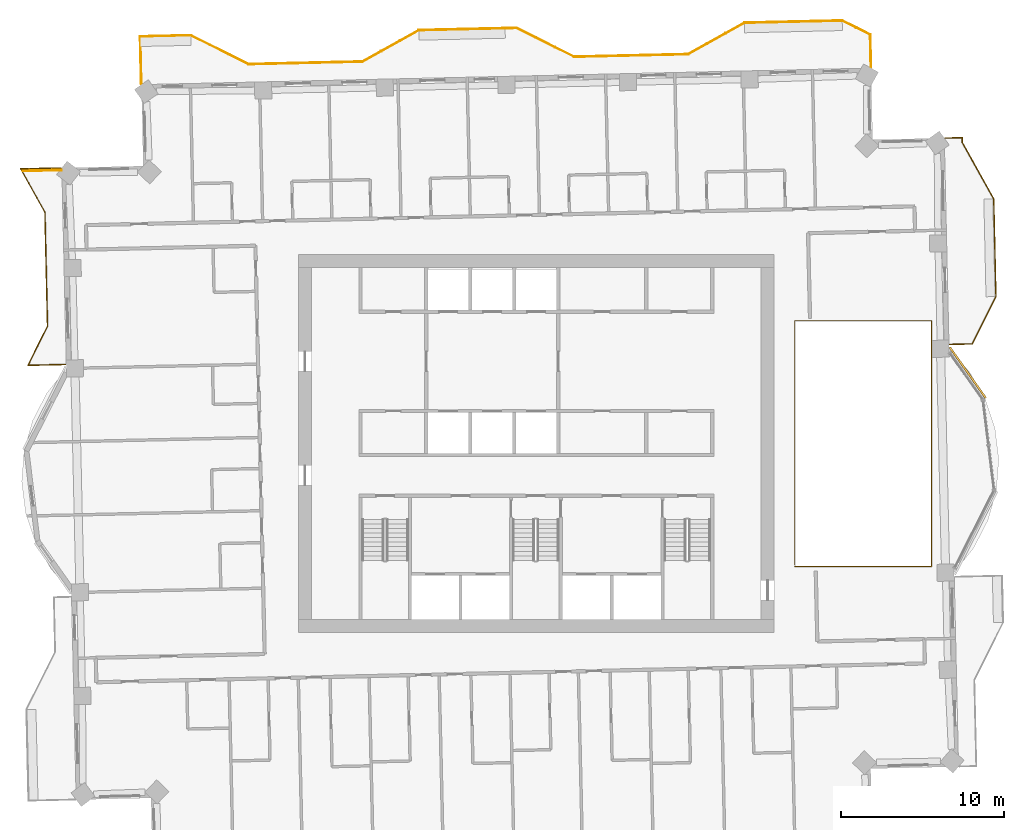
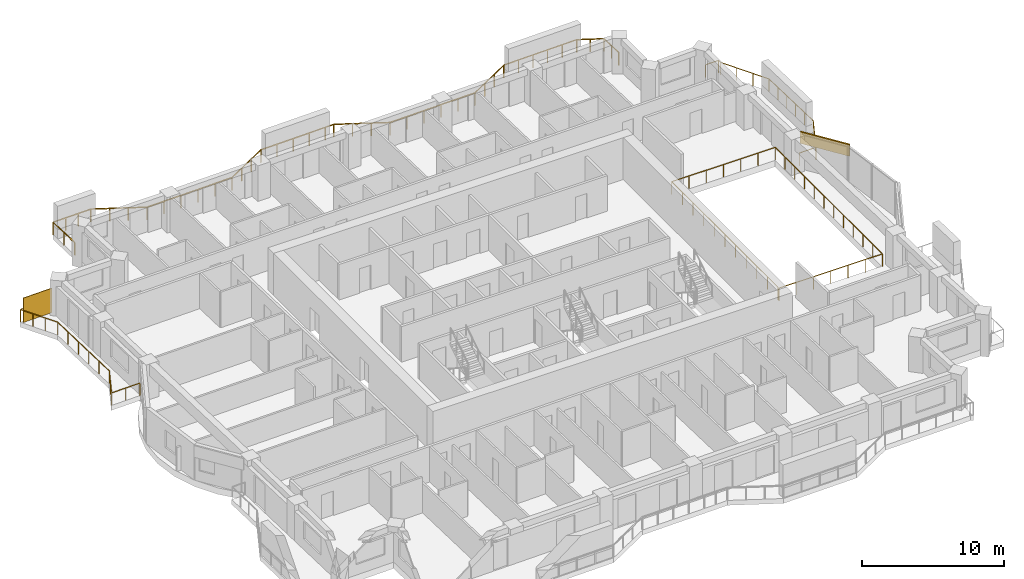
# One storey, part 17 of 17: 4 railings, 1 covering, 1 shading device.
"""IFC4 building model written with IfcOpenShell, lengths in metres."""

from ifc_helpers import new_model, si_unit, direction, frame, frame_2d, origin, origin_2d, place, context, subcontext, project, spatial, rectangle, extrude, material, layer, layer_set, type_object, element, save


model = new_model("IFC4")

# Units and contexts
model_context = context("Model", 3, precision=1e-05, world=origin(), true_north=direction((0.0, 1.0)))
body_context = subcontext(model_context, "Body", "Model", "MODEL_VIEW")
ifc_project = project(units=[si_unit("LENGTHUNIT", "METRE"), si_unit("AREAUNIT", "SQUARE_METRE"), si_unit("VOLUMEUNIT", "CUBIC_METRE"), si_unit("PLANEANGLEUNIT", "RADIAN"), si_unit("MASSUNIT", "GRAM", prefix="KILO")], contexts=[model_context])

# Site, building, storey
site_placement = place(None, origin())
site = spatial("IfcSite", under=ifc_project, at=site_placement, CompositionType="ELEMENT")
building_placement = place(site_placement, origin())
building = spatial("IfcBuilding", under=site, at=building_placement, Name="Mangrove Gate Tower", CompositionType="ELEMENT")
storey_placement = place(building_placement, frame((0.0, 0.0, 245.5)))
storey = spatial("IfcBuildingStorey", under=building, at=storey_placement, Name="L62", CompositionType="ELEMENT", Elevation=245.5)

# Railings
ifc_material_1 = material(Name="Stainless steel grade 316 with laminated glass infill", Category="steel")
railing_type = type_object("IfcRailingType", Name="Balcony guard 1100", PredefinedType="GUARDRAIL", material=ifc_material_1)
railing_1_placement = place(storey_placement, frame((25.375, 6.089111328125, 0.0)))
element("IfcRailing", 1, at=railing_1_placement, inside=storey, type_object=railing_type, Name="GUARD L62 E2", PredefinedType="GUARDRAIL", context=body_context, shape_type="SweptSolid", body=[
    extrude(rectangle(XDim=0.048095703125, YDim=0.048095703125, at=origin_2d()), frame((0.0, 0.0, 1.076171875), z_axis=(0.999735822648, 0.022984449415, 0.0), x_axis=(-0.022984449415, 0.999735822648, 0.0)), (0.0, 0.0, 1.0), 1.3916015625),
    extrude(rectangle(XDim=0.048095703125, YDim=0.048095703125, at=origin_2d()), frame((1.39111328125, 0.031982421875, 1.076171875), z_axis=(0.446943201093, 0.894562337122, 0.0), x_axis=(-0.894562337122, 0.446943201093, 0.0)), (0.0, 0.0, 1.0), 3.250732421875),
    extrude(rectangle(XDim=0.048095703125, YDim=0.048095703125, at=origin_2d()), frame((2.843994140625, 2.93994140625, 1.076171875), z_axis=(-0.022662255828, 0.999743178102, 0.0), x_axis=(-0.999743178102, -0.022662255828, 0.0)), (0.0, 0.0, 1.0), 6.00048828125),
    extrude(rectangle(XDim=0.048095703125, YDim=0.048095703125, at=origin_2d()), frame((2.7080078125, 8.93896484375, 1.076171875), z_axis=(-0.48726008209, 0.87325689943, 0.0), x_axis=(-0.87325689943, -0.48726008209, 0.0)), (0.0, 0.0, 1.0), 3.958740234375),
    extrude(rectangle(XDim=0.048095703125, YDim=0.048095703125, at=origin_2d()), frame((0.779052734375, 12.39599609375, 1.076171875), z_axis=(-0.020354088642, 0.999792834079, 0.0), x_axis=(-0.999792834079, -0.020354088642, 0.0)), (0.0, 0.0, 1.0), 0.2998046875),
    extrude(rectangle(XDim=0.048095703125, YDim=0.048095703125, at=origin_2d()), frame((0.77294921875, 12.69580078125, 1.076171875), z_axis=(-0.999745389313, -0.022564497502, 0.0), x_axis=(0.022564497502, -0.999745389313, 0.0)), (0.0, 0.0, 1.0), 1.060302734375),
    extrude(rectangle(XDim=0.0419921875, YDim=0.0419921875, at=origin_2d()), origin(), (0.0, 0.0, 1.0), 1.052001953125),
    extrude(rectangle(XDim=0.0419921875, YDim=0.0419921875, at=origin_2d()), frame((1.39111328125, 0.031982421875, 0.0)), (0.0, 0.0, 1.0), 1.052001953125),
    extrude(rectangle(XDim=0.0419921875, YDim=0.0419921875, at=origin_2d()), frame((1.87548828125, 1.001220703125, 0.0)), (0.0, 0.0, 1.0), 1.052001953125),
    extrude(rectangle(XDim=0.0419921875, YDim=0.0419921875, at=origin_2d()), frame((2.359619140625, 1.970703125, 0.0)), (0.0, 0.0, 1.0), 1.052001953125),
    extrude(rectangle(XDim=0.0419921875, YDim=0.0419921875, at=origin_2d()), frame((2.843994140625, 2.93994140625, 0.0)), (0.0, 0.0, 1.0), 1.052001953125),
    extrude(rectangle(XDim=0.0419921875, YDim=0.0419921875, at=origin_2d()), frame((2.81689453125, 4.1396484375, 0.0)), (0.0, 0.0, 1.0), 1.052001953125),
    extrude(rectangle(XDim=0.0419921875, YDim=0.0419921875, at=origin_2d()), frame((2.78955078125, 5.339599609375, 0.0)), (0.0, 0.0, 1.0), 1.052001953125),
    extrude(rectangle(XDim=0.0419921875, YDim=0.0419921875, at=origin_2d()), frame((2.762451171875, 6.539306640625, 0.0)), (0.0, 0.0, 1.0), 1.052001953125),
    extrude(rectangle(XDim=0.0419921875, YDim=0.0419921875, at=origin_2d()), frame((2.735107421875, 7.7392578125, 0.0)), (0.0, 0.0, 1.0), 1.052001953125),
    extrude(rectangle(XDim=0.0419921875, YDim=0.0419921875, at=origin_2d()), frame((2.7080078125, 8.93896484375, 0.0)), (0.0, 0.0, 1.0), 1.052001953125),
    extrude(rectangle(XDim=0.0419921875, YDim=0.0419921875, at=origin_2d()), frame((2.06494140625, 10.09130859375, 0.0)), (0.0, 0.0, 1.0), 1.052001953125),
    extrude(rectangle(XDim=0.0419921875, YDim=0.0419921875, at=origin_2d()), frame((1.422119140625, 11.24365234375, 0.0)), (0.0, 0.0, 1.0), 1.052001953125),
    extrude(rectangle(XDim=0.0419921875, YDim=0.0419921875, at=origin_2d()), frame((0.779052734375, 12.39599609375, 0.0)), (0.0, 0.0, 1.0), 1.052001953125),
    extrude(rectangle(XDim=0.0419921875, YDim=0.0419921875, at=origin_2d()), frame((0.77294921875, 12.69580078125, 0.0)), (0.0, 0.0, 1.0), 1.052001953125),
    extrude(rectangle(XDim=0.0419921875, YDim=0.0419921875, at=origin_2d()), frame((-0.287109375, 12.671875, 0.0)), (0.0, 0.0, 1.0), 1.052001953125),
])
railing_2_placement = place(storey_placement, frame((20.548095703125, 23.09912109375, 0.0)))
element("IfcRailing", 2, at=railing_2_placement, inside=storey, type_object=railing_type, Name="GUARD L62 N1", PredefinedType="GUARDRAIL", context=body_context, shape_type="SweptSolid", body=[
    extrude(rectangle(XDim=0.048095703125, YDim=0.048095703125, at=origin_2d()), frame((0.0, 0.0, 1.076171875), z_axis=(-0.022478519123, 0.999747326167, 0.0), x_axis=(-0.999747326167, -0.022478519123, 0.0)), (0.0, 0.0, 1.0), 2.00927734375),
    extrude(rectangle(XDim=0.048095703125, YDim=0.048095703125, at=origin_2d()), frame((-0.045166015625, 2.0087890625, 1.076171875), z_axis=(-0.89460449585, 0.446858809922, 0.0), x_axis=(-0.446858809922, -0.89460449585, 0.0)), (0.0, 0.0, 1.0), 1.927001953125),
    extrude(rectangle(XDim=0.048095703125, YDim=0.048095703125, at=origin_2d()), frame((-1.76904296875, 2.869873046875, 1.076171875), z_axis=(-0.999743178102, -0.022662255828, 0.0), x_axis=(0.022662255828, -0.999743178102, 0.0)), (0.0, 0.0, 1.0), 6.00048828125),
    extrude(rectangle(XDim=0.048095703125, YDim=0.048095703125, at=origin_2d()), frame((-7.76806640625, 2.73388671875, 1.076171875), z_axis=(-0.87325689943, -0.48726008209, 0.0), x_axis=(0.48726008209, -0.87325689943, 0.0)), (0.0, 0.0, 1.0), 3.958740234375),
    extrude(rectangle(XDim=0.048095703125, YDim=0.048095703125, at=origin_2d()), frame((-11.22509765625, 0.804931640625, 1.076171875), z_axis=(-0.999745352708, -0.022566119286, 0.0), x_axis=(0.022566119286, -0.999745352708, 0.0)), (0.0, 0.0, 1.0), 6.999755859375),
    extrude(rectangle(XDim=0.048095703125, YDim=0.048095703125, at=origin_2d()), frame((-18.22314453125, 0.64697265625, 1.076171875), z_axis=(-0.894476522376, 0.447114919141, 0.0), x_axis=(-0.447114919141, -0.894476522376, 0.0)), (0.0, 0.0, 1.0), 3.958740234375),
    extrude(rectangle(XDim=0.048095703125, YDim=0.048095703125, at=origin_2d()), frame((-21.76416015625, 2.4169921875, 1.076171875), z_axis=(-0.999735131741, -0.023014481582, 0.0), x_axis=(0.023014481582, -0.999735131741, 0.0)), (0.0, 0.0, 1.0), 0.7001953125),
    extrude(rectangle(XDim=0.048095703125, YDim=0.048095703125, at=origin_2d()), frame((-22.464111328125, 2.40087890625, 1.076171875), z_axis=(-0.999743189186, -0.022661766832, 0.0), x_axis=(0.022661766832, -0.999743189186, 0.0)), (0.0, 0.0, 1.0), 5.300537109375),
    extrude(rectangle(XDim=0.048095703125, YDim=0.048095703125, at=origin_2d()), frame((-27.76318359375, 2.28076171875, 1.076171875), z_axis=(-0.87325689943, -0.48726008209, 0.0), x_axis=(0.48726008209, -0.87325689943, 0.0)), (0.0, 0.0, 1.0), 3.958740234375),
    extrude(rectangle(XDim=0.048095703125, YDim=0.048095703125, at=origin_2d()), frame((-31.22021484375, 0.351806640625, 1.076171875), z_axis=(-0.999742177561, -0.022706351659, 0.0), x_axis=(0.022706351659, -0.999742177561, 0.0)), (0.0, 0.0, 1.0), 6.99951171875),
    extrude(rectangle(XDim=0.048095703125, YDim=0.048095703125, at=origin_2d()), frame((-38.218017578125, 0.19287109375, 1.076171875), z_axis=(-0.894476522376, 0.447114919141, 0.0), x_axis=(-0.447114919141, -0.894476522376, 0.0)), (0.0, 0.0, 1.0), 3.958740234375),
    extrude(rectangle(XDim=0.048095703125, YDim=0.048095703125, at=origin_2d()), frame((-41.759033203125, 1.962890625, 1.076171875), z_axis=(-0.999745154684, -0.02257489059, 0.0), x_axis=(0.02257489059, -0.999745154684, 0.0)), (0.0, 0.0, 1.0), 3.103759765625),
    extrude(rectangle(XDim=0.048095703125, YDim=0.048095703125, at=origin_2d()), frame((-44.862060546875, 1.892822265625, 1.076171875), z_axis=(0.022647097142, -0.999743521605, 0.0), x_axis=(0.999743521605, 0.022647097142, 0.0)), (0.0, 0.0, 1.0), 2.91064453125),
    extrude(rectangle(XDim=0.0419921875, YDim=0.0419921875, at=origin_2d()), origin(), (0.0, 0.0, 1.0), 1.052001953125),
    extrude(rectangle(XDim=0.0419921875, YDim=0.0419921875, at=origin_2d()), frame((-0.0224609375, 1.00439453125, 0.0)), (0.0, 0.0, 1.0), 1.052001953125),
    extrude(rectangle(XDim=0.0419921875, YDim=0.0419921875, at=origin_2d()), frame((-0.045166015625, 2.0087890625, 0.0)), (0.0, 0.0, 1.0), 1.052001953125),
    extrude(rectangle(XDim=0.0419921875, YDim=0.0419921875, at=origin_2d()), frame((-0.9072265625, 2.439453125, 0.0)), (0.0, 0.0, 1.0), 1.052001953125),
    extrude(rectangle(XDim=0.0419921875, YDim=0.0419921875, at=origin_2d()), frame((-1.76904296875, 2.869873046875, 0.0)), (0.0, 0.0, 1.0), 1.052001953125),
    extrude(rectangle(XDim=0.0419921875, YDim=0.0419921875, at=origin_2d()), frame((-2.96875, 2.8427734375, 0.0)), (0.0, 0.0, 1.0), 1.052001953125),
    extrude(rectangle(XDim=0.0419921875, YDim=0.0419921875, at=origin_2d()), frame((-4.168701171875, 2.8154296875, 0.0)), (0.0, 0.0, 1.0), 1.052001953125),
    extrude(rectangle(XDim=0.0419921875, YDim=0.0419921875, at=origin_2d()), frame((-5.368408203125, 2.788330078125, 0.0)), (0.0, 0.0, 1.0), 1.052001953125),
    extrude(rectangle(XDim=0.0419921875, YDim=0.0419921875, at=origin_2d()), frame((-6.568359375, 2.760986328125, 0.0)), (0.0, 0.0, 1.0), 1.052001953125),
    extrude(rectangle(XDim=0.0419921875, YDim=0.0419921875, at=origin_2d()), frame((-7.76806640625, 2.73388671875, 0.0)), (0.0, 0.0, 1.0), 1.052001953125),
    extrude(rectangle(XDim=0.0419921875, YDim=0.0419921875, at=origin_2d()), frame((-8.92041015625, 2.0908203125, 0.0)), (0.0, 0.0, 1.0), 1.052001953125),
    extrude(rectangle(XDim=0.0419921875, YDim=0.0419921875, at=origin_2d()), frame((-10.07275390625, 1.447998046875, 0.0)), (0.0, 0.0, 1.0), 1.052001953125),
    extrude(rectangle(XDim=0.0419921875, YDim=0.0419921875, at=origin_2d()), frame((-11.22509765625, 0.804931640625, 0.0)), (0.0, 0.0, 1.0), 1.052001953125),
    extrude(rectangle(XDim=0.0419921875, YDim=0.0419921875, at=origin_2d()), frame((-12.624755859375, 0.7734375, 0.0)), (0.0, 0.0, 1.0), 1.052001953125),
    extrude(rectangle(XDim=0.0419921875, YDim=0.0419921875, at=origin_2d()), frame((-14.0244140625, 0.74169921875, 0.0)), (0.0, 0.0, 1.0), 1.052001953125),
    extrude(rectangle(XDim=0.0419921875, YDim=0.0419921875, at=origin_2d()), frame((-15.423828125, 0.710205078125, 0.0)), (0.0, 0.0, 1.0), 1.052001953125),
    extrude(rectangle(XDim=0.0419921875, YDim=0.0419921875, at=origin_2d()), frame((-16.823486328125, 0.678466796875, 0.0)), (0.0, 0.0, 1.0), 1.052001953125),
    extrude(rectangle(XDim=0.0419921875, YDim=0.0419921875, at=origin_2d()), frame((-18.22314453125, 0.64697265625, 0.0)), (0.0, 0.0, 1.0), 1.052001953125),
    extrude(rectangle(XDim=0.0419921875, YDim=0.0419921875, at=origin_2d()), frame((-19.403564453125, 1.237060546875, 0.0)), (0.0, 0.0, 1.0), 1.052001953125),
    extrude(rectangle(XDim=0.0419921875, YDim=0.0419921875, at=origin_2d()), frame((-20.583740234375, 1.826904296875, 0.0)), (0.0, 0.0, 1.0), 1.052001953125),
    extrude(rectangle(XDim=0.0419921875, YDim=0.0419921875, at=origin_2d()), frame((-21.76416015625, 2.4169921875, 0.0)), (0.0, 0.0, 1.0), 1.052001953125),
    extrude(rectangle(XDim=0.0419921875, YDim=0.0419921875, at=origin_2d()), frame((-22.464111328125, 2.40087890625, 0.0)), (0.0, 0.0, 1.0), 1.052001953125),
    extrude(rectangle(XDim=0.0419921875, YDim=0.0419921875, at=origin_2d()), frame((-23.788818359375, 2.370849609375, 0.0)), (0.0, 0.0, 1.0), 1.052001953125),
    extrude(rectangle(XDim=0.0419921875, YDim=0.0419921875, at=origin_2d()), frame((-25.11376953125, 2.3408203125, 0.0)), (0.0, 0.0, 1.0), 1.052001953125),
    extrude(rectangle(XDim=0.0419921875, YDim=0.0419921875, at=origin_2d()), frame((-26.4384765625, 2.310791015625, 0.0)), (0.0, 0.0, 1.0), 1.052001953125),
    extrude(rectangle(XDim=0.0419921875, YDim=0.0419921875, at=origin_2d()), frame((-27.76318359375, 2.28076171875, 0.0)), (0.0, 0.0, 1.0), 1.052001953125),
    extrude(rectangle(XDim=0.0419921875, YDim=0.0419921875, at=origin_2d()), frame((-28.91552734375, 1.6376953125, 0.0)), (0.0, 0.0, 1.0), 1.052001953125),
    extrude(rectangle(XDim=0.0419921875, YDim=0.0419921875, at=origin_2d()), frame((-30.06787109375, 0.994873046875, 0.0)), (0.0, 0.0, 1.0), 1.052001953125),
    extrude(rectangle(XDim=0.0419921875, YDim=0.0419921875, at=origin_2d()), frame((-31.22021484375, 0.351806640625, 0.0)), (0.0, 0.0, 1.0), 1.052001953125),
    extrude(rectangle(XDim=0.0419921875, YDim=0.0419921875, at=origin_2d()), frame((-32.619873046875, 0.320068359375, 0.0)), (0.0, 0.0, 1.0), 1.052001953125),
    extrude(rectangle(XDim=0.0419921875, YDim=0.0419921875, at=origin_2d()), frame((-34.019287109375, 0.288330078125, 0.0)), (0.0, 0.0, 1.0), 1.052001953125),
    extrude(rectangle(XDim=0.0419921875, YDim=0.0419921875, at=origin_2d()), frame((-35.4189453125, 0.25634765625, 0.0)), (0.0, 0.0, 1.0), 1.052001953125),
    extrude(rectangle(XDim=0.0419921875, YDim=0.0419921875, at=origin_2d()), frame((-36.818359375, 0.224609375, 0.0)), (0.0, 0.0, 1.0), 1.052001953125),
    extrude(rectangle(XDim=0.0419921875, YDim=0.0419921875, at=origin_2d()), frame((-38.218017578125, 0.19287109375, 0.0)), (0.0, 0.0, 1.0), 1.052001953125),
    extrude(rectangle(XDim=0.0419921875, YDim=0.0419921875, at=origin_2d()), frame((-39.3984375, 0.782958984375, 0.0)), (0.0, 0.0, 1.0), 1.052001953125),
    extrude(rectangle(XDim=0.0419921875, YDim=0.0419921875, at=origin_2d()), frame((-40.57861328125, 1.372802734375, 0.0)), (0.0, 0.0, 1.0), 1.052001953125),
    extrude(rectangle(XDim=0.0419921875, YDim=0.0419921875, at=origin_2d()), frame((-41.759033203125, 1.962890625, 0.0)), (0.0, 0.0, 1.0), 1.052001953125),
    extrude(rectangle(XDim=0.0419921875, YDim=0.0419921875, at=origin_2d()), frame((-42.79345703125, 1.939453125, 0.0)), (0.0, 0.0, 1.0), 1.052001953125),
    extrude(rectangle(XDim=0.0419921875, YDim=0.0419921875, at=origin_2d()), frame((-43.82763671875, 1.916259765625, 0.0)), (0.0, 0.0, 1.0), 1.052001953125),
    extrude(rectangle(XDim=0.0419921875, YDim=0.0419921875, at=origin_2d()), frame((-44.862060546875, 1.892822265625, 0.0)), (0.0, 0.0, 1.0), 1.052001953125),
    extrude(rectangle(XDim=0.0419921875, YDim=0.0419921875, at=origin_2d()), frame((-44.8291015625, 0.43798828125, 0.0)), (0.0, 0.0, 1.0), 1.052001953125),
    extrude(rectangle(XDim=0.0419921875, YDim=0.0419921875, at=origin_2d()), frame((-44.796142578125, -1.01708984375, 0.0)), (0.0, 0.0, 1.0), 1.052001953125),
])
railing_3_placement = place(storey_placement, frame((-29.173095703125, 16.928955078125, 0.0)))
element("IfcRailing", 3, at=railing_3_placement, inside=storey, type_object=railing_type, Name="GUARD L62 W1", PredefinedType="GUARDRAIL", context=body_context, shape_type="SweptSolid", body=[
    extrude(rectangle(XDim=0.048095703125, YDim=0.048095703125, at=origin_2d()), frame((0.0, 0.0, 1.076171875), z_axis=(-0.999747180794, -0.022484983736, 0.0), x_axis=(0.022484983736, -0.999747180794, 0.0)), (0.0, 0.0, 1.0), 2.486572265625),
    extrude(rectangle(XDim=0.048095703125, YDim=0.048095703125, at=origin_2d()), frame((-2.48583984375, -0.055908203125, 1.076171875), z_axis=(0.487237161346, -0.873269688357, 0.0), x_axis=(0.873269688357, 0.487237161346, 0.0)), (0.0, 0.0, 1.0), 3.053955078125),
    extrude(rectangle(XDim=0.048095703125, YDim=0.048095703125, at=origin_2d()), frame((-0.997802734375, -2.722900390625, 1.076171875), z_axis=(0.022705559911, -0.999742195543, 0.0), x_axis=(0.999742195543, 0.022705559911, 0.0)), (0.0, 0.0, 1.0), 6.999755859375),
    extrude(rectangle(XDim=0.048095703125, YDim=0.048095703125, at=origin_2d()), frame((-0.8388671875, -9.720947265625, 1.076171875), z_axis=(-0.447031829068, -0.894518051132, 0.0), x_axis=(0.894518051132, -0.447031829068, 0.0)), (0.0, 0.0, 1.0), 2.6865234375),
    extrude(rectangle(XDim=0.048095703125, YDim=0.048095703125, at=origin_2d()), frame((-2.039794921875, -12.1240234375, 1.076171875), z_axis=(0.999738009607, 0.022889127251, 0.0), x_axis=(-0.022889127251, 0.999738009607, 0.0)), (0.0, 0.0, 1.0), 2.314453125),
    extrude(rectangle(XDim=0.0419921875, YDim=0.0419921875, at=origin_2d()), origin(), (0.0, 0.0, 1.0), 1.052001953125),
    extrude(rectangle(XDim=0.0419921875, YDim=0.0419921875, at=origin_2d()), frame((-1.242919921875, -0.02783203125, 0.0)), (0.0, 0.0, 1.0), 1.052001953125),
    extrude(rectangle(XDim=0.0419921875, YDim=0.0419921875, at=origin_2d()), frame((-2.48583984375, -0.055908203125, 0.0)), (0.0, 0.0, 1.0), 1.052001953125),
    extrude(rectangle(XDim=0.0419921875, YDim=0.0419921875, at=origin_2d()), frame((-1.98974609375, -0.94482421875, 0.0)), (0.0, 0.0, 1.0), 1.052001953125),
    extrude(rectangle(XDim=0.0419921875, YDim=0.0419921875, at=origin_2d()), frame((-1.493896484375, -1.833984375, 0.0)), (0.0, 0.0, 1.0), 1.052001953125),
    extrude(rectangle(XDim=0.0419921875, YDim=0.0419921875, at=origin_2d()), frame((-0.997802734375, -2.722900390625, 0.0)), (0.0, 0.0, 1.0), 1.052001953125),
    extrude(rectangle(XDim=0.0419921875, YDim=0.0419921875, at=origin_2d()), frame((-0.966064453125, -4.12255859375, 0.0)), (0.0, 0.0, 1.0), 1.052001953125),
    extrude(rectangle(XDim=0.0419921875, YDim=0.0419921875, at=origin_2d()), frame((-0.934326171875, -5.522216796875, 0.0)), (0.0, 0.0, 1.0), 1.052001953125),
    extrude(rectangle(XDim=0.0419921875, YDim=0.0419921875, at=origin_2d()), frame((-0.90234375, -6.921630859375, 0.0)), (0.0, 0.0, 1.0), 1.052001953125),
    extrude(rectangle(XDim=0.0419921875, YDim=0.0419921875, at=origin_2d()), frame((-0.87060546875, -8.3212890625, 0.0)), (0.0, 0.0, 1.0), 1.052001953125),
    extrude(rectangle(XDim=0.0419921875, YDim=0.0419921875, at=origin_2d()), frame((-0.8388671875, -9.720947265625, 0.0)), (0.0, 0.0, 1.0), 1.052001953125),
    extrude(rectangle(XDim=0.0419921875, YDim=0.0419921875, at=origin_2d()), frame((-1.439453125, -10.92236328125, 0.0)), (0.0, 0.0, 1.0), 1.052001953125),
    extrude(rectangle(XDim=0.0419921875, YDim=0.0419921875, at=origin_2d()), frame((-2.039794921875, -12.1240234375, 0.0)), (0.0, 0.0, 1.0), 1.052001953125),
    extrude(rectangle(XDim=0.0419921875, YDim=0.0419921875, at=origin_2d()), frame((-0.8828125, -12.09765625, 0.0)), (0.0, 0.0, 1.0), 1.052001953125),
    extrude(rectangle(XDim=0.0419921875, YDim=0.0419921875, at=origin_2d()), frame((0.274169921875, -12.071044921875, 0.0)), (0.0, 0.0, 1.0), 1.052001953125),
])
railing_4_placement = place(storey_placement, frame((15.860107421875, -7.5400390625, 0.0)))
element("IfcRailing", 4, at=railing_4_placement, inside=storey, type_object=railing_type, Name="GUARD L62 atrium", PredefinedType="GUARDRAIL", context=body_context, shape_type="SweptSolid", body=[
    extrude(rectangle(XDim=0.048095703125, YDim=0.048095703125, at=origin_2d()), frame((0.0, 0.0, 1.076171875), z_axis=(1.0, 0.0, 0.0), x_axis=(0.0, 1.0, 0.0)), (0.0, 0.0, 1.0), 8.406982421875),
    extrude(rectangle(XDim=0.048095703125, YDim=0.048095703125, at=origin_2d()), frame((8.406982421875, 0.0, 1.076171875), z_axis=(0.0, 1.0, 0.0), x_axis=(-1.0, 0.0, 0.0)), (0.0, 0.0, 1.0), 15.080078125),
    extrude(rectangle(XDim=0.048095703125, YDim=0.048095703125, at=origin_2d()), frame((8.406982421875, 15.080078125, 1.076171875), z_axis=(-1.0, 0.0, 0.0), x_axis=(0.0, -1.0, 0.0)), (0.0, 0.0, 1.0), 8.406982421875),
    extrude(rectangle(XDim=0.048095703125, YDim=0.048095703125, at=origin_2d()), frame((0.0, 15.080078125, 1.076171875), z_axis=(0.0, -1.0, 0.0), x_axis=(1.0, 0.0, 0.0)), (0.0, 0.0, 1.0), 14.9599609375),
    extrude(rectangle(XDim=0.0419921875, YDim=0.0419921875, at=origin_2d()), origin(), (0.0, 0.0, 1.0), 1.052001953125),
    extrude(rectangle(XDim=0.0419921875, YDim=0.0419921875, at=origin_2d()), frame((1.401123046875, 0.0, 0.0)), (0.0, 0.0, 1.0), 1.052001953125),
    extrude(rectangle(XDim=0.0419921875, YDim=0.0419921875, at=origin_2d()), frame((2.80224609375, 0.0, 0.0)), (0.0, 0.0, 1.0), 1.052001953125),
    extrude(rectangle(XDim=0.0419921875, YDim=0.0419921875, at=origin_2d()), frame((4.20361328125, 0.0, 0.0)), (0.0, 0.0, 1.0), 1.052001953125),
    extrude(rectangle(XDim=0.0419921875, YDim=0.0419921875, at=origin_2d()), frame((5.604736328125, 0.0, 0.0)), (0.0, 0.0, 1.0), 1.052001953125),
    extrude(rectangle(XDim=0.0419921875, YDim=0.0419921875, at=origin_2d()), frame((7.005859375, 0.0, 0.0)), (0.0, 0.0, 1.0), 1.052001953125),
    extrude(rectangle(XDim=0.0419921875, YDim=0.0419921875, at=origin_2d()), frame((8.406982421875, 0.0, 0.0)), (0.0, 0.0, 1.0), 1.052001953125),
    extrude(rectangle(XDim=0.0419921875, YDim=0.0419921875, at=origin_2d()), frame((8.406982421875, 1.370849609375, 0.0)), (0.0, 0.0, 1.0), 1.052001953125),
    extrude(rectangle(XDim=0.0419921875, YDim=0.0419921875, at=origin_2d()), frame((8.406982421875, 2.741943359375, 0.0)), (0.0, 0.0, 1.0), 1.052001953125),
    extrude(rectangle(XDim=0.0419921875, YDim=0.0419921875, at=origin_2d()), frame((8.406982421875, 4.11279296875, 0.0)), (0.0, 0.0, 1.0), 1.052001953125),
    extrude(rectangle(XDim=0.0419921875, YDim=0.0419921875, at=origin_2d()), frame((8.406982421875, 5.483642578125, 0.0)), (0.0, 0.0, 1.0), 1.052001953125),
    extrude(rectangle(XDim=0.0419921875, YDim=0.0419921875, at=origin_2d()), frame((8.406982421875, 6.8544921875, 0.0)), (0.0, 0.0, 1.0), 1.052001953125),
    extrude(rectangle(XDim=0.0419921875, YDim=0.0419921875, at=origin_2d()), frame((8.406982421875, 8.2255859375, 0.0)), (0.0, 0.0, 1.0), 1.052001953125),
    extrude(rectangle(XDim=0.0419921875, YDim=0.0419921875, at=origin_2d()), frame((8.406982421875, 9.596435546875, 0.0)), (0.0, 0.0, 1.0), 1.052001953125),
    extrude(rectangle(XDim=0.0419921875, YDim=0.0419921875, at=origin_2d()), frame((8.406982421875, 10.96728515625, 0.0)), (0.0, 0.0, 1.0), 1.052001953125),
    extrude(rectangle(XDim=0.0419921875, YDim=0.0419921875, at=origin_2d()), frame((8.406982421875, 12.338134765625, 0.0)), (0.0, 0.0, 1.0), 1.052001953125),
    extrude(rectangle(XDim=0.0419921875, YDim=0.0419921875, at=origin_2d()), frame((8.406982421875, 13.709228515625, 0.0)), (0.0, 0.0, 1.0), 1.052001953125),
    extrude(rectangle(XDim=0.0419921875, YDim=0.0419921875, at=origin_2d()), frame((8.406982421875, 15.080078125, 0.0)), (0.0, 0.0, 1.0), 1.052001953125),
    extrude(rectangle(XDim=0.0419921875, YDim=0.0419921875, at=origin_2d()), frame((7.005859375, 15.080078125, 0.0)), (0.0, 0.0, 1.0), 1.052001953125),
    extrude(rectangle(XDim=0.0419921875, YDim=0.0419921875, at=origin_2d()), frame((5.604736328125, 15.080078125, 0.0)), (0.0, 0.0, 1.0), 1.052001953125),
    extrude(rectangle(XDim=0.0419921875, YDim=0.0419921875, at=origin_2d()), frame((4.20361328125, 15.080078125, 0.0)), (0.0, 0.0, 1.0), 1.052001953125),
    extrude(rectangle(XDim=0.0419921875, YDim=0.0419921875, at=origin_2d()), frame((2.80224609375, 15.080078125, 0.0)), (0.0, 0.0, 1.0), 1.052001953125),
    extrude(rectangle(XDim=0.0419921875, YDim=0.0419921875, at=origin_2d()), frame((1.401123046875, 15.080078125, 0.0)), (0.0, 0.0, 1.0), 1.052001953125),
    extrude(rectangle(XDim=0.0419921875, YDim=0.0419921875, at=origin_2d()), frame((0.0, 15.080078125, 0.0)), (0.0, 0.0, 1.0), 1.052001953125),
    extrude(rectangle(XDim=0.0419921875, YDim=0.0419921875, at=origin_2d()), frame((0.0, 13.583984375, 0.0)), (0.0, 0.0, 1.0), 1.052001953125),
    extrude(rectangle(XDim=0.0419921875, YDim=0.0419921875, at=origin_2d()), frame((0.0, 12.088134765625, 0.0)), (0.0, 0.0, 1.0), 1.052001953125),
    extrude(rectangle(XDim=0.0419921875, YDim=0.0419921875, at=origin_2d()), frame((0.0, 10.592041015625, 0.0)), (0.0, 0.0, 1.0), 1.052001953125),
    extrude(rectangle(XDim=0.0419921875, YDim=0.0419921875, at=origin_2d()), frame((0.0, 9.09619140625, 0.0)), (0.0, 0.0, 1.0), 1.052001953125),
    extrude(rectangle(XDim=0.0419921875, YDim=0.0419921875, at=origin_2d()), frame((0.0, 7.60009765625, 0.0)), (0.0, 0.0, 1.0), 1.052001953125),
    extrude(rectangle(XDim=0.0419921875, YDim=0.0419921875, at=origin_2d()), frame((0.0, 6.10400390625, 0.0)), (0.0, 0.0, 1.0), 1.052001953125),
    extrude(rectangle(XDim=0.0419921875, YDim=0.0419921875, at=origin_2d()), frame((0.0, 4.608154296875, 0.0)), (0.0, 0.0, 1.0), 1.052001953125),
    extrude(rectangle(XDim=0.0419921875, YDim=0.0419921875, at=origin_2d()), frame((0.0, 3.112060546875, 0.0)), (0.0, 0.0, 1.0), 1.052001953125),
    extrude(rectangle(XDim=0.0419921875, YDim=0.0419921875, at=origin_2d()), frame((0.0, 1.6162109375, 0.0)), (0.0, 0.0, 1.0), 1.052001953125),
    extrude(rectangle(XDim=0.0419921875, YDim=0.0419921875, at=origin_2d()), frame((0.0, 0.1201171875, 0.0)), (0.0, 0.0, 1.0), 1.052001953125),
])

# Shading device
ifc_material_2 = material(Name="Timber slat screen in teak", Category="wood")
shading_device_type = type_object("IfcShadingDeviceType", Name="Balcony screen 2100", PredefinedType="USERDEFINED", material=ifc_material_2)
shading_device_placement = place(storey_placement, frame((-30.3330078125, 16.762939453125, 0.0), z_axis=(0.0, 0.0, 1.0), x_axis=(-0.999744585359, -0.022600089485, 0.0)))
element("IfcShadingDevice", 5, at=shading_device_placement, inside=storey, type_object=shading_device_type, Name="SCREEN L62 W0", ObjectType="SCREEN", PredefinedType="USERDEFINED", context=body_context, shape_type="SweptSolid", body=[
    extrude(rectangle(XDim=2.366943359375, YDim=0.050048828125, at=origin_2d()), origin(), (0.0, 0.0, 1.0), 2.10009765625),
])

# Covering
ifc_material_3 = material(Name="Limestone", Category="masonry")
ifc_layer_1 = layer(ifc_material_3, 0.0400390625, Name="Limestone cladding")
ifc_material_4 = material(Name="Stainless steel anchors and cavity", Category="steel")
ifc_layer_2 = layer(ifc_material_4, 0.080078125, Name="Fixing cavity")
ifc_layer_set = layer_set([ifc_layer_1, ifc_layer_2], Name="Joint fascia cladding 120")
covering_type = type_object("IfcCoveringType", Name="Joint fascia cladding 120", PredefinedType="CLADDING", material=ifc_layer_set)
covering_placement = place(storey_placement, frame((27.591064453125, 2.802978515625, 2.050048828125), z_axis=(0.0, 0.0, 1.0), x_axis=(-0.578168098379, 0.815917673553, 0.0)))
element("IfcCovering", 6, at=covering_placement, inside=storey, type_object=covering_type, Name="STONE FASCIA L62 E1.L2", PredefinedType="CLADDING", context=body_context, shape_type="SweptSolid", body=[
    extrude(rectangle(XDim=3.819091796875, YDim=0.1201171875, at=frame_2d((1.90966796875, 0.0))), origin(), (0.0, 0.0, 1.0), 1.0),
])

save(model, "model.ifc")
